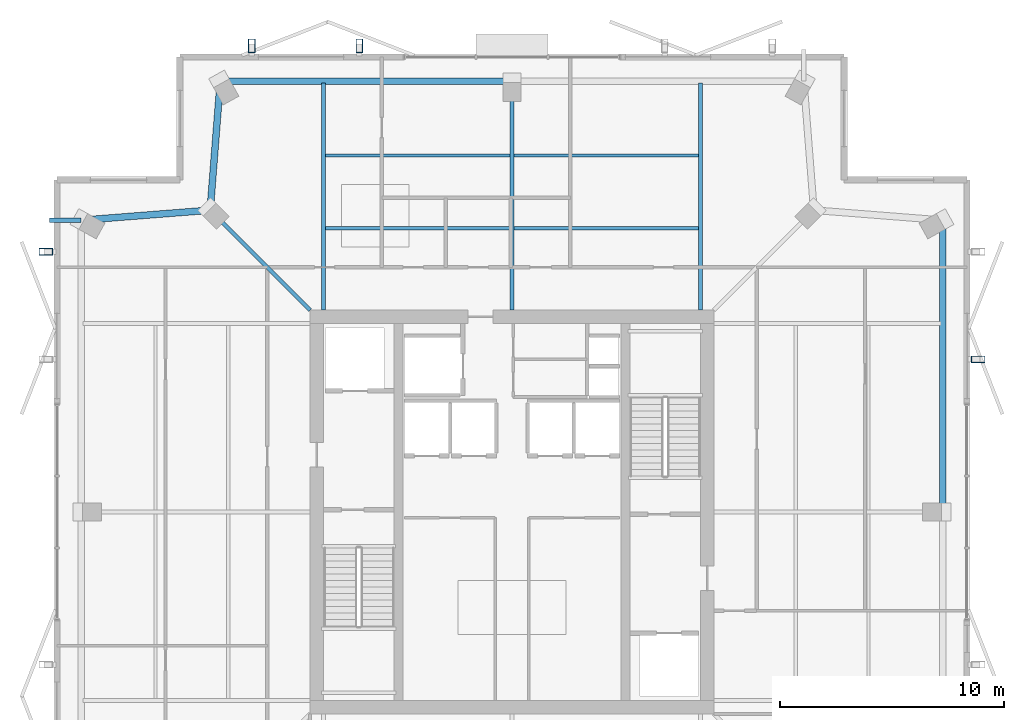
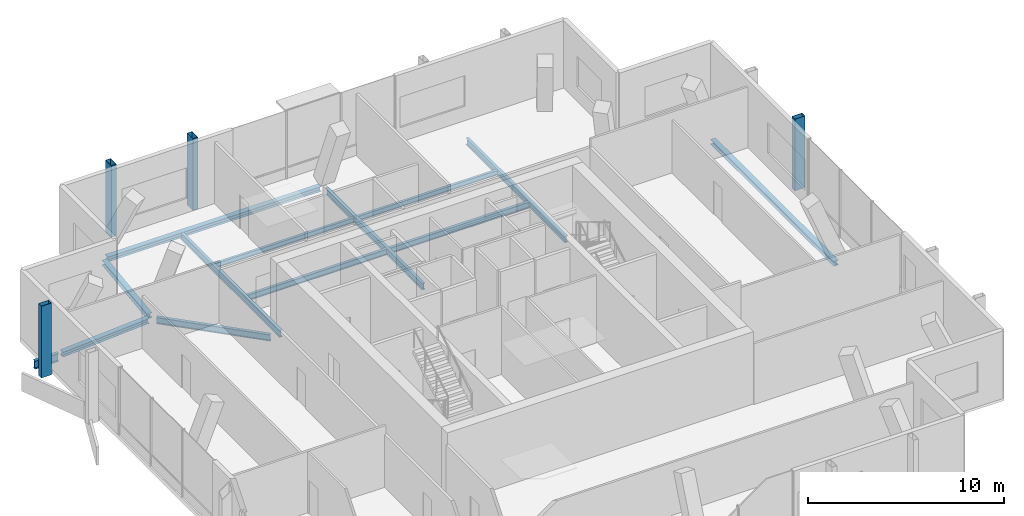
# One storey, part 8 of 16: 13 beams, 4 members.
"""IFC4 building model written with IfcOpenShell, lengths in metres."""

from ifc_helpers import new_model, si_unit, direction, frame, origin, origin_2d, place, context, subcontext, project, spatial, hollow_rectangle, i_section, extrude, material, material_profile, profile_set, type_object, element, save


model = new_model("IFC4")

# Units and contexts
model_context = context("Model", 3, precision=1e-05, world=origin(), true_north=direction((0.0, 1.0)))
body_context = subcontext(model_context, "Body", "Model", "MODEL_VIEW")
ifc_project = project(units=[si_unit("LENGTHUNIT", "METRE"), si_unit("AREAUNIT", "SQUARE_METRE"), si_unit("VOLUMEUNIT", "CUBIC_METRE"), si_unit("PLANEANGLEUNIT", "RADIAN"), si_unit("MASSUNIT", "GRAM", prefix="KILO")], contexts=[model_context])

# Site, building, storey
site_placement = place(None, origin())
site = spatial("IfcSite", under=ifc_project, at=site_placement, CompositionType="ELEMENT")
building_placement = place(site_placement, origin())
building = spatial("IfcBuilding", under=site, at=building_placement, Name="Belovzor Exchange Tower", CompositionType="ELEMENT")
storey_placement = place(building_placement, frame((0.0, 0.0, 364.5)))
storey = spatial("IfcBuildingStorey", under=building, at=storey_placement, Name="L91", CompositionType="ELEMENT", Elevation=364.5)

# Beams
ifc_material_1 = material(Name="Steel S355", Category="steel")
ifc_material_profile_1 = material_profile(ifc_material_1, i_section(OverallWidth=0.199951171875, OverallDepth=0.5, WebThickness=0.01025390625, FlangeThickness=0.01611328125, at=origin_2d()))
ifc_profile_set_1 = profile_set([ifc_material_profile_1], Name="Steel S355")
beam_type_1 = type_object("IfcBeamType", Name="Planted Balcony Cantilever Beam IPE 500", PredefinedType="BEAM", material=ifc_profile_set_1)
beam_1_placement = place(storey_placement, frame((9.60009765625, 41.800048828125, -0.510009765625), z_axis=(-1.0, 0.0, 0.0), x_axis=(0.0, -1.0, 0.0)))
element("IfcBeam", 1, at=beam_1_placement, inside=storey, type_object=beam_type_1, Name="BC-500 Planted Balcony Cantilever Beam IPE 500", PredefinedType="BEAM", context=body_context, shape_type="SweptSolid", body=[
    extrude(i_section(OverallWidth=0.199951171875, OverallDepth=0.5, WebThickness=0.01025390625, FlangeThickness=0.01611328125, at=origin_2d()), origin(), (0.0, 0.0, 1.0), 1.400146484375),
])
ifc_material_2 = material(Name="Steel S355", Category="steel")
ifc_material_profile_2 = material_profile(ifc_material_2, i_section(OverallWidth=0.169921875, OverallDepth=0.360107421875, WebThickness=0.008056640625, FlangeThickness=0.0126953125, at=origin_2d()))
ifc_profile_set_2 = profile_set([ifc_material_profile_2], Name="Steel S355")
beam_type_2 = type_object("IfcBeamType", Name="Secondary Infill Floor Joist IPE 360", PredefinedType="BEAM", material=ifc_profile_set_2)
beam_2_placement = place(storey_placement, frame((20.489990234375, 41.445068359375, -0.43994140625), z_axis=(1.0, 0.0, 0.0), x_axis=(0.0, 1.0, 0.0)))
element("IfcBeam", 2, at=beam_2_placement, inside=storey, type_object=beam_type_2, Name="FJ-360 Secondary Infill Floor Joist IPE 360", PredefinedType="BEAM", context=body_context, shape_type="SweptSolid", body=[
    extrude(i_section(OverallWidth=0.169921875, OverallDepth=0.360107421875, WebThickness=0.008056640625, FlangeThickness=0.0126953125, at=origin_2d()), origin(), (0.0, 0.0, 1.0), 8.219970703125),
])
beam_3_placement = place(storey_placement, frame((28.889892578125, 41.445068359375, -0.43994140625), z_axis=(1.0, 0.0, 0.0), x_axis=(0.0, 1.0, 0.0)))
element("IfcBeam", 3, at=beam_3_placement, inside=storey, type_object=beam_type_2, Name="FJ-360 Secondary Infill Floor Joist IPE 360", PredefinedType="BEAM", context=body_context, shape_type="SweptSolid", body=[
    extrude(i_section(OverallWidth=0.169921875, OverallDepth=0.360107421875, WebThickness=0.008056640625, FlangeThickness=0.0126953125, at=origin_2d()), origin(), (0.0, 0.0, 1.0), 8.22021484375),
])
ifc_material_3 = material(Name="Steel S355", Category="steel")
ifc_material_profile_3 = material_profile(ifc_material_3, i_section(OverallWidth=0.14990234375, OverallDepth=0.300048828125, WebThickness=0.007080078125, FlangeThickness=0.0107421875, at=origin_2d()))
ifc_profile_set_3 = profile_set([ifc_material_profile_3], Name="Steel S355")
beam_type_3 = type_object("IfcBeamType", Name="Secondary Trim Floor Joist IPE 300", PredefinedType="BEAM", material=ifc_profile_set_3)
beam_4_placement = place(storey_placement, frame((20.489990234375, 44.68505859375, -0.409912109375), z_axis=(1.0, 0.0, 0.0), x_axis=(0.0, 1.0, 0.0)))
element("IfcBeam", 4, at=beam_4_placement, inside=storey, type_object=beam_type_3, Name="FJ-300 Secondary Trim Floor Joist IPE 300", PredefinedType="BEAM", context=body_context, shape_type="SweptSolid", body=[
    extrude(i_section(OverallWidth=0.14990234375, OverallDepth=0.300048828125, WebThickness=0.007080078125, FlangeThickness=0.0107421875, at=origin_2d()), origin(), (0.0, 0.0, 1.0), 8.219970703125),
])
beam_5_placement = place(storey_placement, frame((28.889892578125, 44.68505859375, -0.409912109375), z_axis=(1.0, 0.0, 0.0), x_axis=(0.0, 1.0, 0.0)))
element("IfcBeam", 5, at=beam_5_placement, inside=storey, type_object=beam_type_3, Name="FJ-300 Secondary Trim Floor Joist IPE 300", PredefinedType="BEAM", context=body_context, shape_type="SweptSolid", body=[
    extrude(i_section(OverallWidth=0.14990234375, OverallDepth=0.300048828125, WebThickness=0.007080078125, FlangeThickness=0.0107421875, at=origin_2d()), origin(), (0.0, 0.0, 1.0), 8.22021484375),
])

# Members
ifc_material_4 = material(Name="Extruded Architectural Terracotta on Steel S355 Carrier", Category="masonry")
ifc_material_profile_4 = material_profile(ifc_material_4, hollow_rectangle(XDim=0.300048828125, YDim=0.60009765625, WallThickness=0.01611328125, at=origin_2d()))
ifc_profile_set_4 = profile_set([ifc_material_profile_4], Name="Extruded Architectural Terracotta on Steel S355 Carrier")
member_type = type_object("IfcMemberType", Name="Upper Crown Terracotta Fin Assembly 550", PredefinedType="USERDEFINED", material=ifc_profile_set_4)
for number, where, z_axis, x_axis, name in (
    (6, (17.199951171875, 49.574951171875, -0.260009765625), (0.0, 0.0, 1.0), (1.0, 0.0, 0.0), "FIN-TC055 Terracotta Facade Fin L91 N1"),
    (7, (22.0, 49.574951171875, -0.260009765625), (0.0, 0.0, 1.0), (1.0, 0.0, 0.0), "FIN-TC055 Terracotta Facade Fin L91 N2"),
    (8, (49.574951171875, 35.60009765625, -0.260009765625), (0.0, 0.0, 1.0), (0.0, 1.0, 0.0), "FIN-TC055 Terracotta Facade Fin L91 E3"),
    (9, (8.02490234375, 40.39990234375, -0.260009765625), (0.0, 0.0, 1.0), (0.0, 1.0, 0.0), "FIN-TC055 Terracotta Facade Fin L91 W4"),
):
    element("IfcMember", number, at=place(storey_placement, frame(where, z_axis=z_axis, x_axis=x_axis)), inside=storey, type_object=member_type, Name=name, ObjectType="FIN", PredefinedType="USERDEFINED", context=body_context, shape_type="SweptSolid", body=[
        extrude(hollow_rectangle(XDim=0.300048828125, YDim=0.60009765625, WallThickness=0.01611328125, at=origin_2d()), origin(), (0.0, 0.0, 1.0), 4.4599609375),
    ])

# Beams
ifc_material_5 = material(Name="Steel S355", Category="steel")
ifc_material_profile_5 = material_profile(ifc_material_5, i_section(OverallWidth=0.179931640625, OverallDepth=0.39990234375, WebThickness=0.008544921875, FlangeThickness=0.013427734375, at=origin_2d()))
ifc_profile_set_5 = profile_set([ifc_material_profile_5], Name="Steel S355")
beam_type_4 = type_object("IfcBeamType", Name="Zone 5-6 Radial Composite Floor Beam IPE 400", PredefinedType="BEAM", material=ifc_profile_set_5)
beam_6_placement = place(storey_placement, frame((20.39990234375, 37.800048828125, -0.4599609375), z_axis=(0.0, 1.0, 0.0), x_axis=(-1.0, 0.0, 0.0)))
element("IfcBeam", 10, at=beam_6_placement, inside=storey, type_object=beam_type_4, Name="FB-400 Zone 5-6 Radial Composite Floor Beam IPE 400", PredefinedType="BEAM", context=body_context, shape_type="SweptSolid", body=[
    extrude(i_section(OverallWidth=0.179931640625, OverallDepth=0.39990234375, WebThickness=0.008544921875, FlangeThickness=0.013427734375, at=origin_2d()), origin(), (0.0, 0.0, 1.0), 10.125),
])
beam_7_placement = place(storey_placement, frame((28.800048828125, 37.800048828125, -0.4599609375), z_axis=(0.0, 1.0, 0.0), x_axis=(-1.0, 0.0, 0.0)))
element("IfcBeam", 11, at=beam_7_placement, inside=storey, type_object=beam_type_4, Name="FB-400 Zone 5-6 Radial Composite Floor Beam IPE 400", PredefinedType="BEAM", context=body_context, shape_type="SweptSolid", body=[
    extrude(i_section(OverallWidth=0.179931640625, OverallDepth=0.39990234375, WebThickness=0.008544921875, FlangeThickness=0.013427734375, at=origin_2d()), origin(), (0.0, 0.0, 1.0), 9.847900390625),
])
beam_8_placement = place(storey_placement, frame((37.199951171875, 37.800048828125, -0.4599609375), z_axis=(0.0, 1.0, 0.0), x_axis=(-1.0, 0.0, 0.0)))
element("IfcBeam", 12, at=beam_8_placement, inside=storey, type_object=beam_type_4, Name="FB-400 Zone 5-6 Radial Composite Floor Beam IPE 400", PredefinedType="BEAM", context=body_context, shape_type="SweptSolid", body=[
    extrude(i_section(OverallWidth=0.179931640625, OverallDepth=0.39990234375, WebThickness=0.008544921875, FlangeThickness=0.013427734375, at=origin_2d()), origin(), (0.0, 0.0, 1.0), 10.125),
])
beam_9_placement = place(storey_placement, frame((19.800048828125, 37.800048828125, -0.4599609375), z_axis=(-0.707106781187, 0.707106781187, 0.0), x_axis=(-0.707106781187, -0.707106781187, 0.0)))
element("IfcBeam", 13, at=beam_9_placement, inside=storey, type_object=beam_type_4, Name="FB-400 Zone 5-6 Radial Composite Floor Beam IPE 400", PredefinedType="BEAM", context=body_context, shape_type="SweptSolid", body=[
    extrude(i_section(OverallWidth=0.179931640625, OverallDepth=0.39990234375, WebThickness=0.008544921875, FlangeThickness=0.013427734375, at=origin_2d()), origin(), (0.0, 0.0, 1.0), 6.010498046875),
])
ifc_material_6 = material(Name="Steel S355", Category="steel")
ifc_material_profile_6 = material_profile(ifc_material_6, i_section(OverallWidth=0.300048828125, OverallDepth=0.300048828125, WebThickness=0.008544921875, FlangeThickness=0.013916015625, at=origin_2d()))
ifc_profile_set_6 = profile_set([ifc_material_profile_6], Name="Steel S355")
beam_type_5 = type_object("IfcBeamType", Name="Zone 6 Primary Girder HEA 300", PredefinedType="BEAM", material=ifc_profile_set_6)
for number, where, z_axis, x_axis, name in (
    (14, (48.0, 29.02001953125, -0.409912109375), (0.0, 1.0, 0.0), (-1.0, 0.0, 0.0), "FG-Z6 Zone 6 Primary Girder HEA 300"),
    (15, (28.580078125, 48.0, -0.409912109375), (-1.0, 0.0, 0.0), (0.0, -1.0, 0.0), "FG-Z6 Zone 6 Primary Girder HEA 300"),
):
    element("IfcBeam", number, at=place(storey_placement, frame(where, z_axis=z_axis, x_axis=x_axis)), inside=storey, type_object=beam_type_5, Name=name, PredefinedType="BEAM", context=body_context, shape_type="SweptSolid", body=[
        extrude(i_section(OverallWidth=0.300048828125, OverallDepth=0.300048828125, WebThickness=0.008544921875, FlangeThickness=0.013916015625, at=origin_2d()), origin(), (0.0, 0.0, 1.0), 12.56005859375),
    ])
for number, where, z_axis, x_axis, name in (
    (16, (15.782958984375, 47.781005859375, -0.409912109375), (-0.078076949164, -0.996947335625, 0.0), (0.996947335625, -0.078076949164, 0.0), "FG-Z6 Zone 6 Primary Girder HEA 300"),
    (17, (15.131103515625, 42.23291015625, -0.409912109375), (-0.996947335625, -0.078076949164, 0.0), (0.078076949164, -0.996947335625, 0.0), "FG-Z6 Zone 6 Primary Girder HEA 300"),
):
    element("IfcBeam", number, at=place(storey_placement, frame(where, z_axis=z_axis, x_axis=x_axis)), inside=storey, type_object=beam_type_5, Name=name, PredefinedType="BEAM", context=body_context, shape_type="SweptSolid", body=[
        extrude(i_section(OverallWidth=0.300048828125, OverallDepth=0.300048828125, WebThickness=0.008544921875, FlangeThickness=0.013916015625, at=origin_2d()), origin(), (0.0, 0.0, 1.0), 5.328369140625),
    ])

save(model, "model.ifc")
